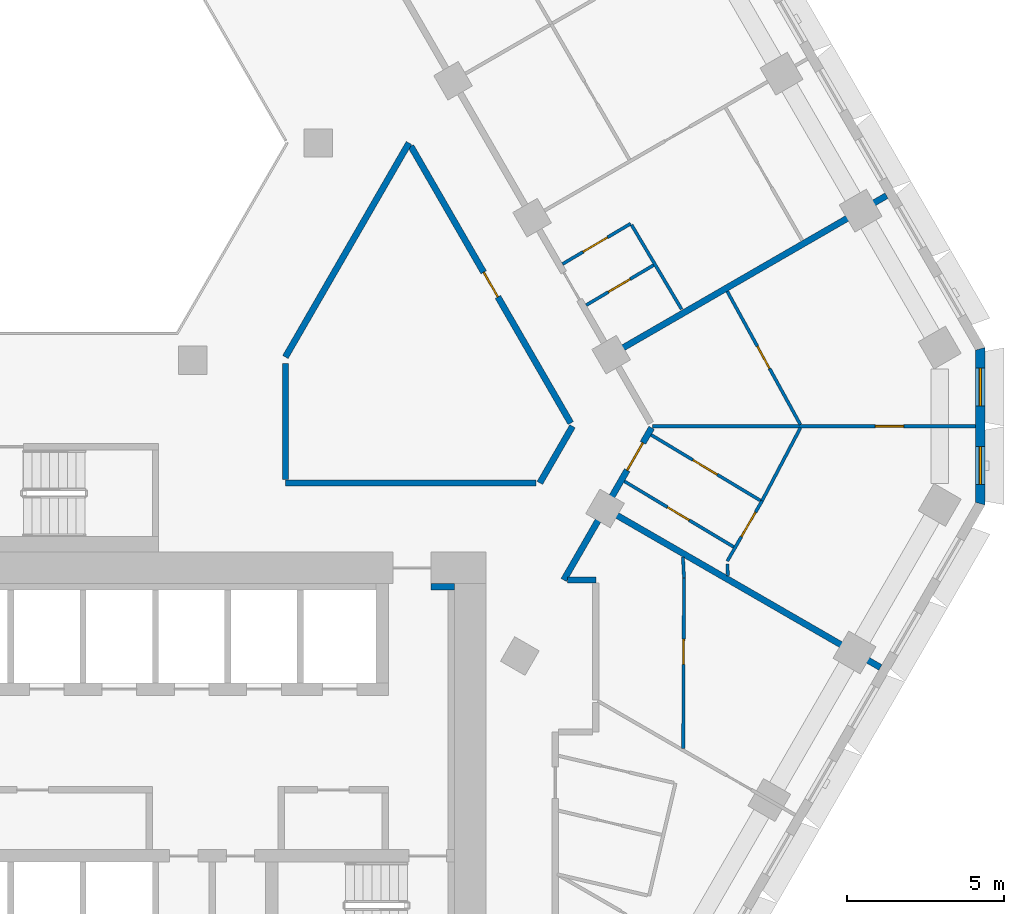
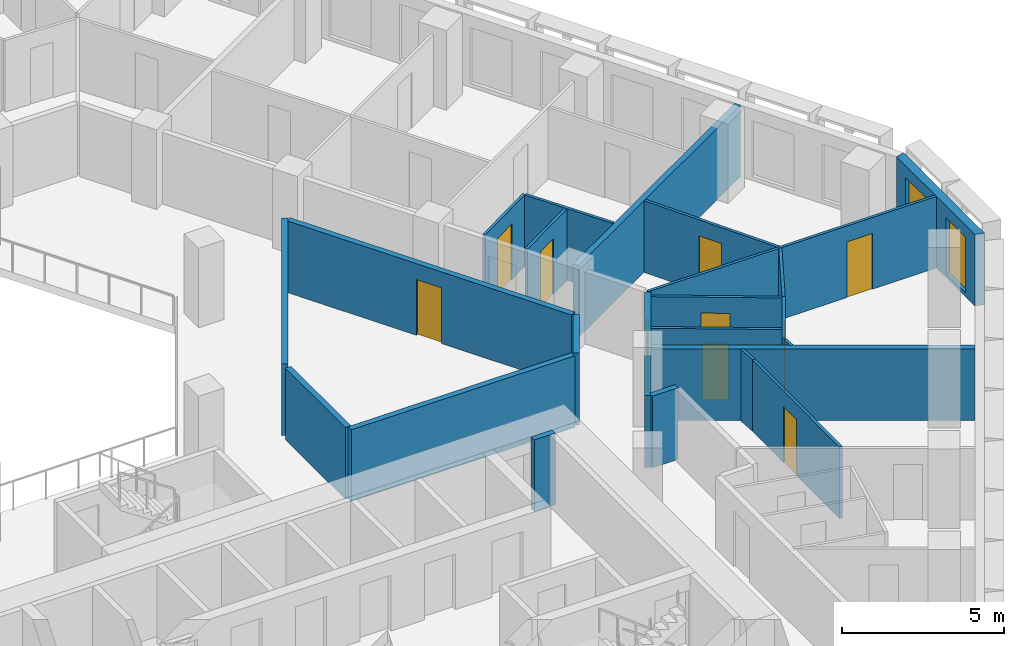
# One storey, part 7 of 18: 23 walls, 10 doors, 2 windows, 12 openings.
"""IFC4 building model written with IfcOpenShell, lengths in metres."""

from ifc_helpers import new_model, si_unit, direction, frame, frame_2d, origin, place, context, subcontext, project, spatial, polyline, rectangle, outline, extrude, material, layer, layer_set, type_object, element, fill, save


model = new_model("IFC4")

# Units and contexts
model_context = context("Model", 3, precision=1e-05, world=origin(), true_north=direction((0.0, 1.0)))
body_context = subcontext(model_context, "Body", "Model", "MODEL_VIEW")
ifc_project = project(units=[si_unit("LENGTHUNIT", "METRE"), si_unit("AREAUNIT", "SQUARE_METRE"), si_unit("VOLUMEUNIT", "CUBIC_METRE"), si_unit("PLANEANGLEUNIT", "RADIAN"), si_unit("MASSUNIT", "GRAM", prefix="KILO")], contexts=[model_context])

# Site, building, storey
site_placement = place(None, origin())
site = spatial("IfcSite", under=ifc_project, at=site_placement, CompositionType="ELEMENT")
building_placement = place(site_placement, origin())
building = spatial("IfcBuilding", under=site, at=building_placement, Name="Beryl Residences", CompositionType="ELEMENT")
storey_placement = place(building_placement, frame((0.0, 0.0, 81.0)))
storey = spatial("IfcBuildingStorey", under=building, at=storey_placement, Name="L24", CompositionType="ELEMENT", Elevation=81.0)

# Wall, openings, windows
ifc_material_1 = material(Name="Composite metal panel with mineral wool insulation")
ifc_layer_1 = layer(ifc_material_1, 0.300048828125)
ifc_layer_set_1 = layer_set([ifc_layer_1], Name="ES1 pale metal composite panel wall 300 mm")
wall_type_1 = type_object("IfcWallType", Name="ES1 pale metal composite panel wall 300 mm", PredefinedType="SOLIDWALL", material=ifc_layer_set_1)
wall_1_placement = place(storey_placement, frame((29.007080078125, -3.5, 0.0), z_axis=(0.0, 0.0, 1.0), x_axis=(0.0, 1.0, 0.0)))
wall_1 = element("IfcWall", 1, at=wall_1_placement, inside=storey, type_object=wall_type_1, Name="ES1 external wall L24 SE-NE", PredefinedType="SOLIDWALL", context=body_context, shape_type="SweptSolid", body=[
    extrude(outline(polyline([(0.0, -0.14990234375), (5.0, -0.14990234375), (4.919677734375, 0.14990234375), (0.080322265625, 0.14990234375), (0.0, -0.14990234375)])), origin(), (0.0, 0.0, 1.0), 2.699951171875),
])
opening_1_placement = place(wall_1_placement, frame((0.64990234375, 0.0, 0.14990234375)))
opening_1 = element("IfcOpeningElement", 2, at=opening_1_placement, cuts=wall_1, Name="Opening W2", PredefinedType="OPENING", context=body_context, shape_type="SweptSolid", body=[
    extrude(rectangle(XDim=1.199951171875, YDim=2.10009765625, at=frame_2d((0.60009765625, 1.050048828125))), frame((0.0, 0.159912109375, 0.0), z_axis=(0.0, -1.0, 0.0), x_axis=(1.0, 0.0, 0.0)), (0.0, 0.0, 1.0), 0.320068359375),
])
opening_2_placement = place(wall_1_placement, frame((3.14990234375, 0.0, 0.14990234375)))
opening_2 = element("IfcOpeningElement", 3, at=opening_2_placement, cuts=wall_1, Name="Opening W2", PredefinedType="OPENING", context=body_context, shape_type="SweptSolid", body=[
    extrude(rectangle(XDim=1.199951171875, YDim=2.10009765625, at=frame_2d((0.60009765625, 1.050048828125))), frame((0.0, 0.159912109375, 0.0), z_axis=(0.0, -1.0, 0.0), x_axis=(1.0, 0.0, 0.0)), (0.0, 0.0, 1.0), 0.320068359375),
])
ifc_material_2 = material(Name="Aluminium and clear glass", Category="aluminium")
window_type = type_object("IfcWindowType", Name="W2 chamfer window 1200 x 2100 mm", PartitioningType="SINGLE_PANEL", PredefinedType="WINDOW", material=ifc_material_2)
window_1_placement = place(opening_1_placement, origin())
window_1 = element("IfcWindow", 4, at=window_1_placement, inside=storey, type_object=window_type, Name="W2 window L24 SE-NE 1", OverallHeight=2.10009765625, OverallWidth=1.199951171875, PartitioningType="SINGLE_PANEL", PredefinedType="WINDOW", context=body_context, shape_type="SweptSolid", body=[
    extrude(rectangle(XDim=1.199951171875, YDim=2.10009765625, at=frame_2d((0.60009765625, 1.050048828125))), frame((0.0, 0.030029296875, 0.0), z_axis=(0.0, -1.0, 0.0), x_axis=(1.0, 0.0, 0.0)), (0.0, 0.0, 1.0), 0.06005859375),
])
fill(opening_1, window_1)
window_2_placement = place(opening_2_placement, origin())
window_2 = element("IfcWindow", 5, at=window_2_placement, inside=storey, type_object=window_type, Name="W2 window L24 SE-NE 2", OverallHeight=2.10009765625, OverallWidth=1.199951171875, PartitioningType="SINGLE_PANEL", PredefinedType="WINDOW", context=body_context, shape_type="SweptSolid", body=[
    extrude(rectangle(XDim=1.199951171875, YDim=2.10009765625, at=frame_2d((0.60009765625, 1.050048828125))), frame((0.0, 0.030029296875, 0.0), z_axis=(0.0, -1.0, 0.0), x_axis=(1.0, 0.0, 0.0)), (0.0, 0.0, 1.0), 0.06005859375),
])
fill(opening_2, window_2)

# Wall
ifc_material_3 = material(Name="Gypsum board partition on steel studs", Category="steel")
ifc_layer_2 = layer(ifc_material_3, 0.10009765625)
ifc_layer_set_2 = layer_set([ifc_layer_2], Name="PT1 partition 100 mm gypsum board on steel studs")
wall_type_2 = type_object("IfcWallType", Name="PT1 partition 100 mm gypsum board on steel studs", PredefinedType="PARTITIONING", material=ifc_layer_set_2)
wall_2_placement = place(storey_placement, frame((17.926025390625, 5.39599609375, 0.0), z_axis=(0.0, 0.0, 1.0), x_axis=(0.510025922017, -0.860159031151, 0.0)))
element("IfcWall", 6, at=wall_2_placement, inside=storey, type_object=wall_type_2, Name="Wall PT1 L24 004", PredefinedType="PARTITIONING", context=body_context, shape_type="SweptSolid", body=[
    extrude(rectangle(XDim=3.11328125, YDim=0.10009765625, at=frame_2d((1.556640625, 0.0))), origin(), (0.0, 0.0, 1.0), 2.699951171875),
])

# Wall, opening, door
wall_3_placement = place(storey_placement, frame((20.964111328125, 3.287109375, 0.0), z_axis=(0.0, 0.0, 1.0), x_axis=(0.4810005962, -0.876720266936, 0.0)))
wall_3 = element("IfcWall", 7, at=wall_3_placement, inside=storey, type_object=wall_type_2, Name="Wall PT1 L24 008", PredefinedType="PARTITIONING", context=body_context, shape_type="SweptSolid", body=[
    extrude(rectangle(XDim=4.82958984375, YDim=0.10009765625, at=frame_2d((2.414794921875, 0.0))), origin(), (0.0, 0.0, 1.0), 2.699951171875),
])
opening_3_placement = place(wall_3_placement, frame((1.9951171875, 0.0, 0.0)))
opening_3 = element("IfcOpeningElement", 8, at=opening_3_placement, cuts=wall_3, Name="Opening D0649", PredefinedType="OPENING", context=body_context, shape_type="SweptSolid", body=[
    extrude(rectangle(XDim=0.800048828125, YDim=2.10009765625, at=frame_2d((0.39990234375, 1.050048828125))), frame((0.0, 0.06005859375, 0.0), z_axis=(0.0, -1.0, 0.0), x_axis=(1.0, 0.0, 0.0)), (0.0, 0.0, 1.0), 0.1201171875),
])
ifc_material_4 = material(Name="Timber door leaf", Category="wood")
door_type_1 = type_object("IfcDoorType", Name="D3 bathroom door 800 x 2100 mm", OperationType="SINGLE_SWING_LEFT", PredefinedType="DOOR", material=ifc_material_4)
door_1_placement = place(opening_3_placement, origin())
door_1 = element("IfcDoor", 9, at=door_1_placement, inside=storey, type_object=door_type_1, Name="Door D0649 L24 001", OperationType="SINGLE_SWING_LEFT", OverallHeight=2.10009765625, OverallWidth=0.800048828125, PredefinedType="DOOR", context=body_context, shape_type="SweptSolid", body=[
    extrude(rectangle(XDim=0.800048828125, YDim=2.10009765625, at=frame_2d((0.39990234375, 1.050048828125))), frame((0.0, 0.02490234375, 0.0), z_axis=(0.0, -1.0, 0.0), x_axis=(1.0, 0.0, 0.0)), (0.0, 0.0, 1.0), 0.050048828125),
])
fill(opening_3, door_1)

# Walls
wall_4_placement = place(storey_placement, frame((19.55810546875, -5.156005859375, 0.0), z_axis=(0.0, 0.0, 1.0), x_axis=(0.04980880462, -0.998758771167, 0.0)))
element("IfcWall", 10, at=wall_4_placement, inside=storey, type_object=wall_type_2, Name="Wall PT1 L24 012", PredefinedType="PARTITIONING", context=body_context, shape_type="SweptSolid", body=[
    extrude(rectangle(XDim=0.66162109375, YDim=0.10009765625, at=frame_2d((0.330810546875, 0.0))), origin(), (0.0, 0.0, 1.0), 2.699951171875),
])
wall_5_placement = place(storey_placement, frame((20.969970703125, -5.3779296875, 0.0), z_axis=(0.0, 0.0, 1.0), x_axis=(0.043266532348, -0.999063565134, 0.0)))
element("IfcWall", 11, at=wall_5_placement, inside=storey, type_object=wall_type_2, Name="Wall PT1 L24 013", PredefinedType="PARTITIONING", context=body_context, shape_type="SweptSolid", body=[
    extrude(rectangle(XDim=0.372314453125, YDim=0.10009765625, at=frame_2d((0.18603515625, 0.0))), origin(), (0.0, 0.0, 1.0), 2.699951171875),
])

# Wall, opening, door
wall_6_placement = place(storey_placement, frame((17.697021484375, -2.748046875, 0.0), z_axis=(0.0, 0.0, 1.0), x_axis=(0.857359945576, -0.514717324093, 0.0)))
wall_6 = element("IfcWall", 12, at=wall_6_placement, inside=storey, type_object=wall_type_2, Name="Wall PT1 L24 030", PredefinedType="PARTITIONING", context=body_context, shape_type="SweptSolid", body=[
    extrude(rectangle(XDim=4.05078125, YDim=0.10009765625, at=frame_2d((2.025390625, 0.0))), origin(), (0.0, 0.0, 1.0), 2.699951171875),
])
opening_4_placement = place(wall_6_placement, frame((1.60009765625, 0.0, 0.0)))
opening_4 = element("IfcOpeningElement", 13, at=opening_4_placement, cuts=wall_6, Name="Opening D0645", PredefinedType="OPENING", context=body_context, shape_type="SweptSolid", body=[
    extrude(rectangle(XDim=0.800048828125, YDim=2.10009765625, at=frame_2d((0.39990234375, 1.050048828125))), frame((0.0, 0.06005859375, 0.0), z_axis=(0.0, -1.0, 0.0), x_axis=(1.0, 0.0, 0.0)), (0.0, 0.0, 1.0), 0.1201171875),
])
door_2_placement = place(opening_4_placement, origin())
door_2 = element("IfcDoor", 14, at=door_2_placement, inside=storey, type_object=door_type_1, Name="Door D0645 L24 001", OperationType="SINGLE_SWING_LEFT", OverallHeight=2.10009765625, OverallWidth=0.800048828125, PredefinedType="DOOR", context=body_context, shape_type="SweptSolid", body=[
    extrude(rectangle(XDim=0.800048828125, YDim=2.10009765625, at=frame_2d((0.39990234375, 1.050048828125))), frame((0.0, 0.02490234375, 0.0), z_axis=(0.0, -1.0, 0.0), x_axis=(1.0, 0.0, 0.0)), (0.0, 0.0, 1.0), 0.050048828125),
])
fill(opening_4, door_2)

wall_7_placement = place(storey_placement, frame((18.547119140625, -1.27490234375, 0.0), z_axis=(0.0, 0.0, 1.0), x_axis=(0.85733334763, -0.514761625456, 0.0)))
wall_7 = element("IfcWall", 15, at=wall_7_placement, inside=storey, type_object=wall_type_2, Name="Wall PT1 L24 031", PredefinedType="PARTITIONING", context=body_context, shape_type="SweptSolid", body=[
    extrude(rectangle(XDim=4.05078125, YDim=0.10009765625, at=frame_2d((2.025390625, 0.0))), origin(), (0.0, 0.0, 1.0), 2.699951171875),
])
opening_5_placement = place(wall_7_placement, frame((1.550048828125, 0.0, 0.0)))
opening_5 = element("IfcOpeningElement", 16, at=opening_5_placement, cuts=wall_7, Name="Opening D0646", PredefinedType="OPENING", context=body_context, shape_type="SweptSolid", body=[
    extrude(rectangle(XDim=0.89990234375, YDim=2.10009765625, at=frame_2d((0.449951171875, 1.050048828125))), frame((0.0, 0.06005859375, 0.0), z_axis=(0.0, -1.0, 0.0), x_axis=(1.0, 0.0, 0.0)), (0.0, 0.0, 1.0), 0.1201171875),
])
ifc_material_5 = material(Name="Timber door leaf", Category="wood")
door_type_2 = type_object("IfcDoorType", Name="D2 room door 900 x 2100 mm", OperationType="SINGLE_SWING_LEFT", PredefinedType="DOOR", material=ifc_material_5)
door_3_placement = place(opening_5_placement, origin())
door_3 = element("IfcDoor", 17, at=door_3_placement, inside=storey, type_object=door_type_2, Name="Door D0646 L24 001", OperationType="SINGLE_SWING_RIGHT", OverallHeight=2.10009765625, OverallWidth=0.89990234375, PredefinedType="DOOR", context=body_context, shape_type="SweptSolid", body=[
    extrude(rectangle(XDim=0.89990234375, YDim=2.10009765625, at=frame_2d((0.449951171875, 1.050048828125))), frame((0.0, 0.02490234375, 0.0), z_axis=(0.0, -1.0, 0.0), x_axis=(1.0, 0.0, 0.0)), (0.0, 0.0, 1.0), 0.050048828125),
])
fill(opening_5, door_3)

wall_8_placement = place(storey_placement, frame((18.591064453125, -0.9990234375, 0.0), z_axis=(0.0, 0.0, 1.0), x_axis=(1.0, 0.0, 0.0)))
wall_8 = element("IfcWall", 18, at=wall_8_placement, inside=storey, type_object=wall_type_2, Name="Wall PT1 L24 033", PredefinedType="PARTITIONING", context=body_context, shape_type="SweptSolid", body=[
    extrude(rectangle(XDim=10.265869140625, YDim=0.10009765625, at=frame_2d((5.1328125, 0.0))), origin(), (0.0, 0.0, 1.0), 2.699951171875),
])
opening_6_placement = place(wall_8_placement, frame((7.0791015625, 0.0, 0.0)))
opening_6 = element("IfcOpeningElement", 19, at=opening_6_placement, cuts=wall_8, Name="Opening D0648", PredefinedType="OPENING", context=body_context, shape_type="SweptSolid", body=[
    extrude(rectangle(XDim=0.89990234375, YDim=2.10009765625, at=frame_2d((0.449951171875, 1.050048828125))), frame((0.0, 0.06005859375, 0.0), z_axis=(0.0, -1.0, 0.0), x_axis=(1.0, 0.0, 0.0)), (0.0, 0.0, 1.0), 0.1201171875),
])
door_4_placement = place(opening_6_placement, origin())
door_4 = element("IfcDoor", 20, at=door_4_placement, inside=storey, type_object=door_type_2, Name="Door D0648 L24 001", OperationType="SINGLE_SWING_RIGHT", OverallHeight=2.10009765625, OverallWidth=0.89990234375, PredefinedType="DOOR", context=body_context, shape_type="SweptSolid", body=[
    extrude(rectangle(XDim=0.89990234375, YDim=2.10009765625, at=frame_2d((0.449951171875, 1.050048828125))), frame((0.0, 0.02490234375, 0.0), z_axis=(0.0, -1.0, 0.0), x_axis=(1.0, 0.0, 0.0)), (0.0, 0.0, 1.0), 0.050048828125),
])
fill(opening_6, door_4)

wall_9_placement = place(storey_placement, frame((20.966064453125, -5.284912109375, 0.0), z_axis=(0.0, 0.0, 1.0), x_axis=(0.500244510215, 0.865884189716, 0.0)))
wall_9 = element("IfcWall", 21, at=wall_9_placement, inside=storey, type_object=wall_type_2, Name="Wall PT1 L24 040", PredefinedType="PARTITIONING", context=body_context, shape_type="SweptSolid", body=[
    extrude(rectangle(XDim=2.212890625, YDim=0.10009765625, at=frame_2d((1.1064453125, 0.0))), origin(), (0.0, 0.0, 1.0), 2.699951171875),
])
opening_7_placement = place(wall_9_placement, frame((0.89306640625, 0.0, 0.0)))
opening_7 = element("IfcOpeningElement", 22, at=opening_7_placement, cuts=wall_9, Name="Opening D0647", PredefinedType="OPENING", context=body_context, shape_type="SweptSolid", body=[
    extrude(rectangle(XDim=0.89990234375, YDim=2.10009765625, at=frame_2d((0.449951171875, 1.050048828125))), frame((0.0, 0.06005859375, 0.0), z_axis=(0.0, -1.0, 0.0), x_axis=(1.0, 0.0, 0.0)), (0.0, 0.0, 1.0), 0.1201171875),
])
door_5_placement = place(opening_7_placement, origin())
door_5 = element("IfcDoor", 23, at=door_5_placement, inside=storey, type_object=door_type_2, Name="Door D0647 L24 001", OperationType="SINGLE_SWING_LEFT", OverallHeight=2.10009765625, OverallWidth=0.89990234375, PredefinedType="DOOR", context=body_context, shape_type="SweptSolid", body=[
    extrude(rectangle(XDim=0.89990234375, YDim=2.10009765625, at=frame_2d((0.449951171875, 1.050048828125))), frame((0.0, 0.02490234375, 0.0), z_axis=(0.0, -1.0, 0.0), x_axis=(1.0, 0.0, 0.0)), (0.0, 0.0, 1.0), 0.050048828125),
])
fill(opening_7, door_5)

# Wall
wall_10_placement = place(storey_placement, frame((22.052978515625, -3.403076171875, 0.0), z_axis=(0.0, 0.0, 1.0), x_axis=(0.465190117005, 0.885210796952, 0.0)))
element("IfcWall", 24, at=wall_10_placement, inside=storey, type_object=wall_type_2, Name="Wall PT1 L24 047", PredefinedType="PARTITIONING", context=body_context, shape_type="SweptSolid", body=[
    extrude(rectangle(XDim=2.6591796875, YDim=0.10009765625, at=frame_2d((1.32958984375, 0.0))), origin(), (0.0, 0.0, 1.0), 2.699951171875),
])

# Wall, opening, door
wall_11_placement = place(storey_placement, frame((19.56591796875, -11.238037109375, 0.0), z_axis=(0.0, 0.0, 1.0), x_axis=(0.004638545009, 0.999989241892, 0.0)))
wall_11 = element("IfcWall", 25, at=wall_11_placement, inside=storey, type_object=wall_type_2, Name="Wall PT1 L24 054", PredefinedType="PARTITIONING", context=body_context, shape_type="SweptSolid", body=[
    extrude(rectangle(XDim=5.421142578125, YDim=0.10009765625, at=frame_2d((2.71044921875, 0.0))), origin(), (0.0, 0.0, 1.0), 2.699951171875),
])
opening_8_placement = place(wall_11_placement, frame((2.672119140625, 0.0, 0.0)))
opening_8 = element("IfcOpeningElement", 26, at=opening_8_placement, cuts=wall_11, Name="Opening D0643", PredefinedType="OPENING", context=body_context, shape_type="SweptSolid", body=[
    extrude(rectangle(XDim=0.800048828125, YDim=2.10009765625, at=frame_2d((0.39990234375, 1.050048828125))), frame((0.0, 0.06005859375, 0.0), z_axis=(0.0, -1.0, 0.0), x_axis=(1.0, 0.0, 0.0)), (0.0, 0.0, 1.0), 0.1201171875),
])
door_6_placement = place(opening_8_placement, origin())
door_6 = element("IfcDoor", 27, at=door_6_placement, inside=storey, type_object=door_type_1, Name="Door D0643 L24 001", OperationType="SINGLE_SWING_LEFT", OverallHeight=2.10009765625, OverallWidth=0.800048828125, PredefinedType="DOOR", context=body_context, shape_type="SweptSolid", body=[
    extrude(rectangle(XDim=0.800048828125, YDim=2.10009765625, at=frame_2d((0.39990234375, 1.050048828125))), frame((0.0, 0.02490234375, 0.0), z_axis=(0.0, -1.0, 0.0), x_axis=(1.0, 0.0, 0.0)), (0.0, 0.0, 1.0), 0.050048828125),
])
fill(opening_8, door_6)

wall_12_placement = place(storey_placement, frame((15.73193359375, 4.153076171875, 0.0), z_axis=(0.0, 0.0, 1.0), x_axis=(0.859987631152, 0.510314877566, 0.0)))
wall_12 = element("IfcWall", 28, at=wall_12_placement, inside=storey, type_object=wall_type_2, Name="Wall PT1 L24 076", PredefinedType="PARTITIONING", context=body_context, shape_type="SweptSolid", body=[
    extrude(rectangle(XDim=2.519775390625, YDim=0.10009765625, at=frame_2d((1.259765625, 0.0))), origin(), (0.0, 0.0, 1.0), 2.699951171875),
])
opening_9_placement = place(wall_12_placement, frame((0.760009765625, 0.0, 0.0)))
opening_9 = element("IfcOpeningElement", 29, at=opening_9_placement, cuts=wall_12, Name="Opening D0651", PredefinedType="OPENING", context=body_context, shape_type="SweptSolid", body=[
    extrude(rectangle(XDim=0.89990234375, YDim=2.10009765625, at=frame_2d((0.449951171875, 1.050048828125))), frame((0.0, 0.06005859375, 0.0), z_axis=(0.0, -1.0, 0.0), x_axis=(1.0, 0.0, 0.0)), (0.0, 0.0, 1.0), 0.1201171875),
])
door_7_placement = place(opening_9_placement, origin())
door_7 = element("IfcDoor", 30, at=door_7_placement, inside=storey, type_object=door_type_2, Name="Door D0651 L24 001", OperationType="SINGLE_SWING_LEFT", OverallHeight=2.10009765625, OverallWidth=0.89990234375, PredefinedType="DOOR", context=body_context, shape_type="SweptSolid", body=[
    extrude(rectangle(XDim=0.89990234375, YDim=2.10009765625, at=frame_2d((0.449951171875, 1.050048828125))), frame((0.0, 0.02490234375, 0.0), z_axis=(0.0, -1.0, 0.0), x_axis=(1.0, 0.0, 0.0)), (0.0, 0.0, 1.0), 0.050048828125),
])
fill(opening_9, door_7)

wall_13_placement = place(storey_placement, frame((16.485107421875, 2.847900390625, 0.0), z_axis=(0.0, 0.0, 1.0), x_axis=(0.860052465539, 0.510205602205, 0.0)))
wall_13 = element("IfcWall", 31, at=wall_13_placement, inside=storey, type_object=wall_type_2, Name="Wall PT1 L24 077", PredefinedType="PARTITIONING", context=body_context, shape_type="SweptSolid", body=[
    extrude(rectangle(XDim=2.4892578125, YDim=0.10009765625, at=frame_2d((1.24462890625, 0.0))), origin(), (0.0, 0.0, 1.0), 2.699951171875),
])
opening_10_placement = place(wall_13_placement, frame((0.819091796875, 0.0, 0.0)))
opening_10 = element("IfcOpeningElement", 32, at=opening_10_placement, cuts=wall_13, Name="Opening D0652", PredefinedType="OPENING", context=body_context, shape_type="SweptSolid", body=[
    extrude(rectangle(XDim=0.800048828125, YDim=2.10009765625, at=frame_2d((0.39990234375, 1.050048828125))), frame((0.0, 0.06005859375, 0.0), z_axis=(0.0, -1.0, 0.0), x_axis=(1.0, 0.0, 0.0)), (0.0, 0.0, 1.0), 0.1201171875),
])
door_8_placement = place(opening_10_placement, origin())
door_8 = element("IfcDoor", 33, at=door_8_placement, inside=storey, type_object=door_type_1, Name="Door D0652 L24 001", OperationType="SINGLE_SWING_RIGHT", OverallHeight=2.10009765625, OverallWidth=0.800048828125, PredefinedType="DOOR", context=body_context, shape_type="SweptSolid", body=[
    extrude(rectangle(XDim=0.800048828125, YDim=2.10009765625, at=frame_2d((0.39990234375, 1.050048828125))), frame((0.0, 0.02490234375, 0.0), z_axis=(0.0, -1.0, 0.0), x_axis=(1.0, 0.0, 0.0)), (0.0, 0.0, 1.0), 0.050048828125),
])
fill(opening_10, door_8)

# Walls
ifc_material_6 = material(Name="Concrete masonry", Category="masonry")
ifc_layer_3 = layer(ifc_material_6, 0.199951171875)
ifc_layer_set_3 = layer_set([ifc_layer_3], Name="PT13 lobby wall 200 mm")
wall_type_3 = type_object("IfcWallType", Name="PT13 lobby wall 200 mm", PredefinedType="PARTITIONING", material=ifc_layer_set_3)
wall_14_placement = place(storey_placement, frame((11.550048828125, -6.10009765625, 0.0), z_axis=(0.0, 0.0, 1.0), x_axis=(1.0, 0.0, 0.0)))
element("IfcWall", 34, at=wall_14_placement, inside=storey, type_object=wall_type_3, Name="Lobby wall 32", PredefinedType="PARTITIONING", context=body_context, shape_type="SweptSolid", body=[
    extrude(rectangle(XDim=0.75, YDim=0.199951171875, at=frame_2d((0.375, 0.0))), origin(), (0.0, 0.0, 1.0), 2.699951171875),
])
ifc_material_7 = material(Name="Acoustic double stud gypsum board wall")
ifc_layer_4 = layer(ifc_material_7, 0.199951171875)
ifc_layer_set_4 = layer_set([ifc_layer_4], Name="PT3 party wall 200 mm acoustic double stud")
wall_type_4 = type_object("IfcWallType", Name="PT3 party wall 200 mm acoustic double stud", PredefinedType="PARTITIONING", material=ifc_layer_set_4)
wall_15_placement = place(storey_placement, frame((17.1689453125, -3.662109375, 0.0), z_axis=(0.0, 0.0, 1.0), x_axis=(0.866047370643, -0.499961950354, 0.0)))
element("IfcWall", 35, at=wall_15_placement, inside=storey, type_object=wall_type_4, Name="Wall PT3 L24 003", PredefinedType="PARTITIONING", context=body_context, shape_type="SweptSolid", body=[
    extrude(rectangle(XDim=10.000732421875, YDim=0.199951171875, at=frame_2d((5.00048828125, 0.0))), origin(), (0.0, 0.0, 1.0), 2.699951171875),
])
wall_16_placement = place(storey_placement, frame((17.364990234375, 1.324951171875, 0.0), z_axis=(0.0, 0.0, 1.0), x_axis=(0.866016855193, 0.500014806302, 0.0)))
element("IfcWall", 36, at=wall_16_placement, inside=storey, type_object=wall_type_4, Name="Wall PT3 L24 009", PredefinedType="PARTITIONING", context=body_context, shape_type="SweptSolid", body=[
    extrude(rectangle(XDim=9.999755859375, YDim=0.199951171875, at=frame_2d((5.0, 0.0))), origin(), (0.0, 0.0, 1.0), 2.699951171875),
])

# Wall, opening, door
ifc_material_8 = material(Name="Double stud gypsum board wall")
ifc_layer_5 = layer(ifc_material_8, 0.199951171875)
ifc_layer_set_5 = layer_set([ifc_layer_5], Name="PT4 corridor wall 200 mm double stud")
wall_type_5 = type_object("IfcWallType", Name="PT4 corridor wall 200 mm double stud", PredefinedType="PARTITIONING", material=ifc_layer_set_5)
wall_17_placement = place(storey_placement, frame((10.9130859375, 7.89892578125, 0.0), z_axis=(0.0, 0.0, 1.0), x_axis=(0.500028940566, -0.866008694296, 0.0)))
wall_17 = element("IfcWall", 37, at=wall_17_placement, inside=storey, type_object=wall_type_5, Name="Wall PT4 L24 005", PredefinedType="PARTITIONING", context=body_context, shape_type="SweptSolid", body=[
    extrude(rectangle(XDim=10.1591796875, YDim=0.199951171875, at=frame_2d((5.07958984375, 0.0))), origin(), (0.0, 0.0, 1.0), 2.699951171875),
])
opening_11_placement = place(wall_17_placement, frame((4.6298828125, 0.0, 0.0)))
opening_11 = element("IfcOpeningElement", 38, at=opening_11_placement, cuts=wall_17, Name="Opening D0667", PredefinedType="OPENING", context=body_context, shape_type="SweptSolid", body=[
    extrude(rectangle(XDim=0.89990234375, YDim=2.10009765625, at=frame_2d((0.449951171875, 1.050048828125))), frame((0.0, 0.10986328125, 0.0), z_axis=(0.0, -1.0, 0.0), x_axis=(1.0, 0.0, 0.0)), (0.0, 0.0, 1.0), 0.219970703125),
])
door_9_placement = place(opening_11_placement, origin())
door_9 = element("IfcDoor", 39, at=door_9_placement, inside=storey, type_object=door_type_2, Name="Door D0667 L24 001", OperationType="SINGLE_SWING_LEFT", OverallHeight=2.10009765625, OverallWidth=0.89990234375, PredefinedType="DOOR", context=body_context, shape_type="SweptSolid", body=[
    extrude(rectangle(XDim=0.89990234375, YDim=2.10009765625, at=frame_2d((0.449951171875, 1.050048828125))), frame((0.0, 0.02490234375, 0.0), z_axis=(0.0, -1.0, 0.0), x_axis=(1.0, 0.0, 0.0)), (0.0, 0.0, 1.0), 0.050048828125),
])
fill(opening_11, door_9)

# Walls
wall_18_placement = place(storey_placement, frame((6.927978515625, 1.0, 0.0), z_axis=(0.0, 0.0, 1.0), x_axis=(0.0, -1.0, 0.0)))
element("IfcWall", 40, at=wall_18_placement, inside=storey, type_object=wall_type_5, Name="Wall PT4 L24 009", PredefinedType="PARTITIONING", context=body_context, shape_type="SweptSolid", body=[
    extrude(rectangle(XDim=3.698974609375, YDim=0.199951171875, at=frame_2d((1.849609375, 0.0))), origin(), (0.0, 0.0, 1.0), 2.699951171875),
])
wall_19_placement = place(storey_placement, frame((15.886962890625, -5.885009765625, 0.0), z_axis=(0.0, 0.0, 1.0), x_axis=(1.0, 0.0, 0.0)))
element("IfcWall", 41, at=wall_19_placement, inside=storey, type_object=wall_type_5, Name="Wall PT4 L24 012", PredefinedType="PARTITIONING", context=body_context, shape_type="SweptSolid", body=[
    extrude(rectangle(XDim=0.903076171875, YDim=0.199951171875, at=frame_2d((0.45166015625, 0.0))), origin(), (0.0, 0.0, 1.0), 2.699951171875),
])
wall_20_placement = place(storey_placement, frame((6.928955078125, -2.800048828125, 0.0), z_axis=(0.0, 0.0, 1.0), x_axis=(1.0, 0.0, 0.0)))
element("IfcWall", 42, at=wall_20_placement, inside=storey, type_object=wall_type_5, Name="Wall PT4 L24 018", PredefinedType="PARTITIONING", context=body_context, shape_type="SweptSolid", body=[
    extrude(rectangle(XDim=7.966064453125, YDim=0.199951171875, at=frame_2d((3.98291015625, 0.0))), origin(), (0.0, 0.0, 1.0), 2.699951171875),
])
wall_21_placement = place(storey_placement, frame((6.927978515625, 1.199951171875, 0.0), z_axis=(0.0, 0.0, 1.0), x_axis=(0.500055327065, 0.865993458332, 0.0)))
element("IfcWall", 43, at=wall_21_placement, inside=storey, type_object=wall_type_5, Name="Wall PT4 L24 023", PredefinedType="PARTITIONING", context=body_context, shape_type="SweptSolid", body=[
    extrude(rectangle(XDim=7.85107421875, YDim=0.199951171875, at=frame_2d((3.925537109375, 0.0))), origin(), (0.0, 0.0, 1.0), 2.699951171875),
])
wall_22_placement = place(storey_placement, frame((15.010986328125, -2.800048828125, 0.0), z_axis=(0.0, 0.0, 1.0), x_axis=(0.499929208183, 0.866066271601, 0.0)))
element("IfcWall", 44, at=wall_22_placement, inside=storey, type_object=wall_type_5, Name="Wall PT4 L24 024", PredefinedType="PARTITIONING", context=body_context, shape_type="SweptSolid", body=[
    extrude(rectangle(XDim=2.078369140625, YDim=0.199951171875, at=frame_2d((1.0390625, 0.0))), origin(), (0.0, 0.0, 1.0), 2.699951171875),
])

# Wall, opening, door
wall_23_placement = place(storey_placement, frame((15.77099609375, -5.884033203125, 0.0), z_axis=(0.0, 0.0, 1.0), x_axis=(0.499939494019, 0.866060334111, 0.0)))
wall_23 = element("IfcWall", 45, at=wall_23_placement, inside=storey, type_object=wall_type_5, Name="Wall PT4 L24 025", PredefinedType="PARTITIONING", context=body_context, shape_type="SweptSolid", body=[
    extrude(rectangle(XDim=5.582763671875, YDim=0.199951171875, at=frame_2d((2.79150390625, 0.0))), origin(), (0.0, 0.0, 1.0), 2.699951171875),
])
opening_12_placement = place(wall_23_placement, frame((4.030029296875, 0.0, 0.0)))
opening_12 = element("IfcOpeningElement", 46, at=opening_12_placement, cuts=wall_23, Name="Opening D0644", PredefinedType="OPENING", context=body_context, shape_type="SweptSolid", body=[
    extrude(rectangle(XDim=1.0, YDim=2.10009765625, at=frame_2d((0.5, 1.050048828125))), frame((0.0, 0.10986328125, 0.0), z_axis=(0.0, -1.0, 0.0), x_axis=(1.0, 0.0, 0.0)), (0.0, 0.0, 1.0), 0.219970703125),
])
ifc_material_9 = material(Name="Timber door leaf", Category="wood")
door_type_3 = type_object("IfcDoorType", Name="D1 flat entrance door 1000 x 2100 mm", OperationType="SINGLE_SWING_LEFT", PredefinedType="DOOR", material=ifc_material_9)
door_10_placement = place(opening_12_placement, origin())
door_10 = element("IfcDoor", 47, at=door_10_placement, inside=storey, type_object=door_type_3, Name="Door D0644 L24 001", OperationType="SINGLE_SWING_RIGHT", OverallHeight=2.10009765625, OverallWidth=1.0, PredefinedType="DOOR", context=body_context, shape_type="SweptSolid", body=[
    extrude(rectangle(XDim=1.0, YDim=2.10009765625, at=frame_2d((0.5, 1.050048828125))), frame((0.0, 0.02490234375, 0.0), z_axis=(0.0, -1.0, 0.0), x_axis=(1.0, 0.0, 0.0)), (0.0, 0.0, 1.0), 0.050048828125),
])
fill(opening_12, door_10)

save(model, "model.ifc")
